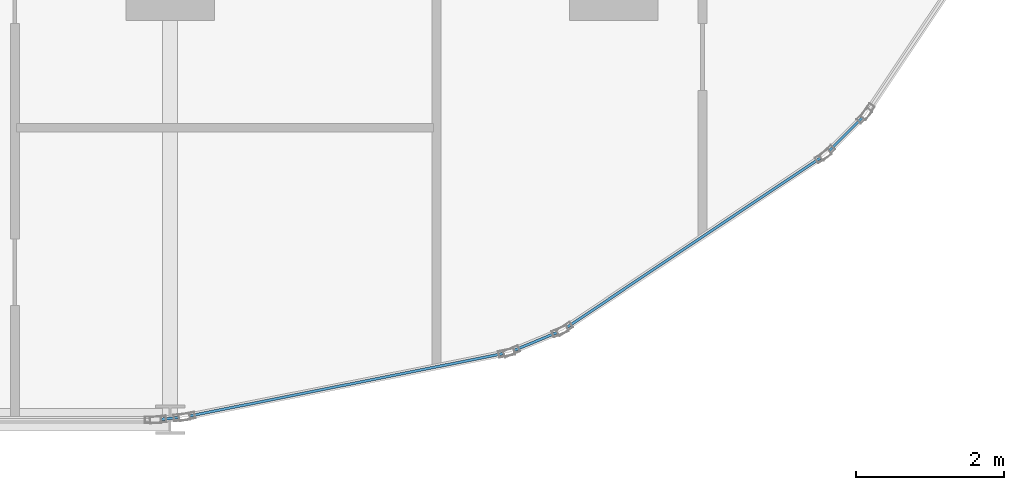
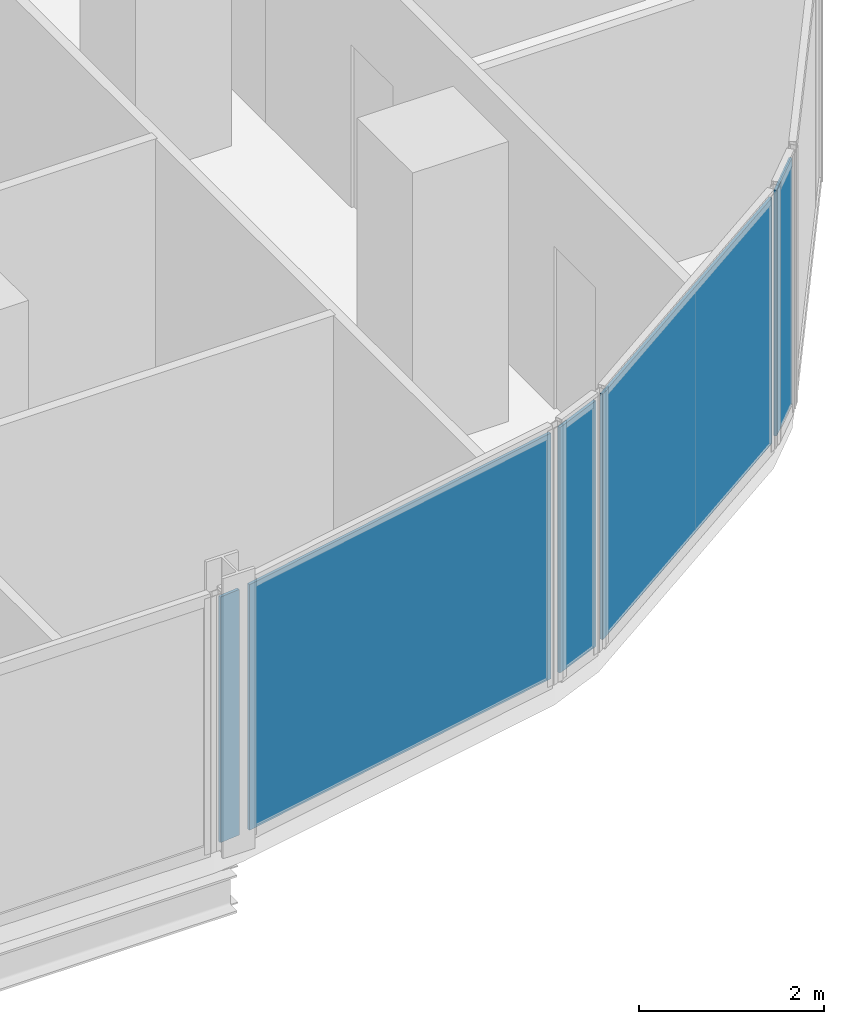
# One storey, part 22 of 34: 5 plates, 5 elements without a shape of their own.
"""IFC4 building model written with IfcOpenShell, lengths in metres."""

from ifc_helpers import new_model, si_unit, direction, frame, origin, origin_2d, place, context, subcontext, project, spatial, rectangle, extrude, material, layer, layer_set, type_object, element, aggregate, save


model = new_model("IFC4")

# Units and contexts
model_context = context("Model", 3, precision=1e-05, world=origin(), true_north=direction((0.0, 1.0)))
body_context = subcontext(model_context, "Body", "Model", "MODEL_VIEW")
ifc_project = project(units=[si_unit("LENGTHUNIT", "METRE"), si_unit("AREAUNIT", "SQUARE_METRE"), si_unit("VOLUMEUNIT", "CUBIC_METRE"), si_unit("PLANEANGLEUNIT", "RADIAN"), si_unit("MASSUNIT", "GRAM", prefix="KILO")], contexts=[model_context])

# Site, building, storey
site_placement = place(None, origin())
site = spatial("IfcSite", under=ifc_project, at=site_placement, CompositionType="ELEMENT")
building_placement = place(site_placement, origin())
building = spatial("IfcBuilding", under=site, at=building_placement, Name="Keshet Zoharim Tower", CompositionType="ELEMENT")
storey_placement = place(building_placement, frame((0.0, 0.0, 70.10009765625)))
storey = spatial("IfcBuildingStorey", under=building, at=storey_placement, Name="L16", CompositionType="ELEMENT", Elevation=70.10009765625)

# Curtain wall, plate
ifc_material_1 = material(Name="Aluminium 6063-T6", Category="aluminium")
ifc_layer_1 = layer(ifc_material_1, 0.179931640625)
ifc_layer_set_1 = layer_set([ifc_layer_1], Name="Aluminium 6063-T6")
curtain_wall_type = type_object("IfcCurtainWallType", Name="CW-SYS-01", PredefinedType="NOTDEFINED", material=ifc_layer_set_1)
curtain_wall_1_placement = place(storey_placement, origin())
curtain_wall_1 = element("IfcCurtainWall", 1, at=curtain_wall_1_placement, inside=storey, type_object=curtain_wall_type, Name="L16 Unitised Curtain Wall 21", PredefinedType="NOTDEFINED")
ifc_material_2 = material(Name="Insulated Low-E Clear Glass", Category="glass")
ifc_layer_2 = layer(ifc_material_2, 0.035888671875)
ifc_layer_set_2 = layer_set([ifc_layer_2], Name="Insulated Low-E Clear Glass")
plate_type = type_object("IfcPlateType", Name="CWP-01", PredefinedType="CURTAIN_PANEL", material=ifc_layer_set_2)
plate_1_placement = place(storey_placement, frame((66.137451171875, 4.5625, 0.06982421875), z_axis=(0.0, 0.0, 1.0), x_axis=(-0.707106781187, -0.707106781187, 0.0)))
plate_1 = element("IfcPlate", 2, at=plate_1_placement, type_object=plate_type, Name="CW-01 panel 1.1", PredefinedType="CURTAIN_PANEL", context=body_context, shape_type="SweptSolid", body=[
    extrude(rectangle(XDim=0.63916015625, YDim=0.035888671875, at=origin_2d()), origin(), (0.0, 0.0, 1.0), 3.2451171875),
])
aggregate(curtain_wall_1, [plate_1])

curtain_wall_2_placement = place(storey_placement, origin())
curtain_wall_2 = element("IfcCurtainWall", 3, at=curtain_wall_2_placement, inside=storey, type_object=curtain_wall_type, Name="L16 Unitised Curtain Wall 22", PredefinedType="NOTDEFINED")
plate_2_placement = place(storey_placement, frame((64.083984375, 3.09912109375, 0.06982421875), z_axis=(0.0, 0.0, 1.0), x_axis=(-0.831474282335, -0.555563243758, 0.0)))
plate_2 = element("IfcPlate", 4, at=plate_2_placement, type_object=plate_type, Name="CW-01 panel 1.1", PredefinedType="CURTAIN_PANEL", context=body_context, shape_type="SweptSolid", body=[
    extrude(rectangle(XDim=4.13671875, YDim=0.035888671875, at=origin_2d()), origin(), (0.0, 0.0, 1.0), 3.2451171875),
])
aggregate(curtain_wall_2, [plate_2])

curtain_wall_3_placement = place(storey_placement, origin())
curtain_wall_3 = element("IfcCurtainWall", 5, at=curtain_wall_3_placement, inside=storey, type_object=curtain_wall_type, Name="L16 Unitised Curtain Wall 23", PredefinedType="NOTDEFINED")
plate_3_placement = place(storey_placement, frame((61.945556640625, 1.761474609375, 0.06982421875), z_axis=(0.0, 0.0, 1.0), x_axis=(-0.923720000557, -0.383068349739, 0.0)))
plate_3 = element("IfcPlate", 6, at=plate_3_placement, type_object=plate_type, Name="CW-01 panel 1.1", PredefinedType="CURTAIN_PANEL", context=body_context, shape_type="SweptSolid", body=[
    extrude(rectangle(XDim=0.640625, YDim=0.035888671875, at=origin_2d()), origin(), (0.0, 0.0, 1.0), 3.2451171875),
])
aggregate(curtain_wall_3, [plate_3])

curtain_wall_4_placement = place(storey_placement, origin())
curtain_wall_4 = element("IfcCurtainWall", 7, at=curtain_wall_4_placement, inside=storey, type_object=curtain_wall_type, Name="L16 Unitised Curtain Wall 24", PredefinedType="NOTDEFINED")
plate_4_placement = place(storey_placement, frame((59.388916015625, 1.175048828125, 0.06982421875), z_axis=(0.0, 0.0, 1.0), x_axis=(-0.98076917357, -0.195171279072, 0.0)))
plate_4 = element("IfcPlate", 8, at=plate_4_placement, type_object=plate_type, Name="CW-01 panel 1.1", PredefinedType="CURTAIN_PANEL", context=body_context, shape_type="SweptSolid", body=[
    extrude(rectangle(XDim=4.338134765625, YDim=0.035888671875, at=origin_2d()), origin(), (0.0, 0.0, 1.0), 3.2451171875),
])
aggregate(curtain_wall_4, [plate_4])

curtain_wall_5_placement = place(storey_placement, origin())
curtain_wall_5 = element("IfcCurtainWall", 9, at=curtain_wall_5_placement, inside=storey, type_object=curtain_wall_type, Name="L16 Unitised Curtain Wall 25", PredefinedType="NOTDEFINED")
plate_5_placement = place(storey_placement, frame((56.998046875, 0.718994140625, 0.06982421875), z_axis=(0.0, 0.0, 1.0), x_axis=(-0.995286657009, -0.096976648633, 0.0)))
plate_5 = element("IfcPlate", 10, at=plate_5_placement, type_object=plate_type, Name="CW-01 panel 1.1", PredefinedType="CURTAIN_PANEL", context=body_context, shape_type="SweptSolid", body=[
    extrude(rectangle(XDim=0.251953125, YDim=0.035888671875, at=origin_2d()), origin(), (0.0, 0.0, 1.0), 3.2451171875),
])
aggregate(curtain_wall_5, [plate_5])

save(model, "model.ifc")
